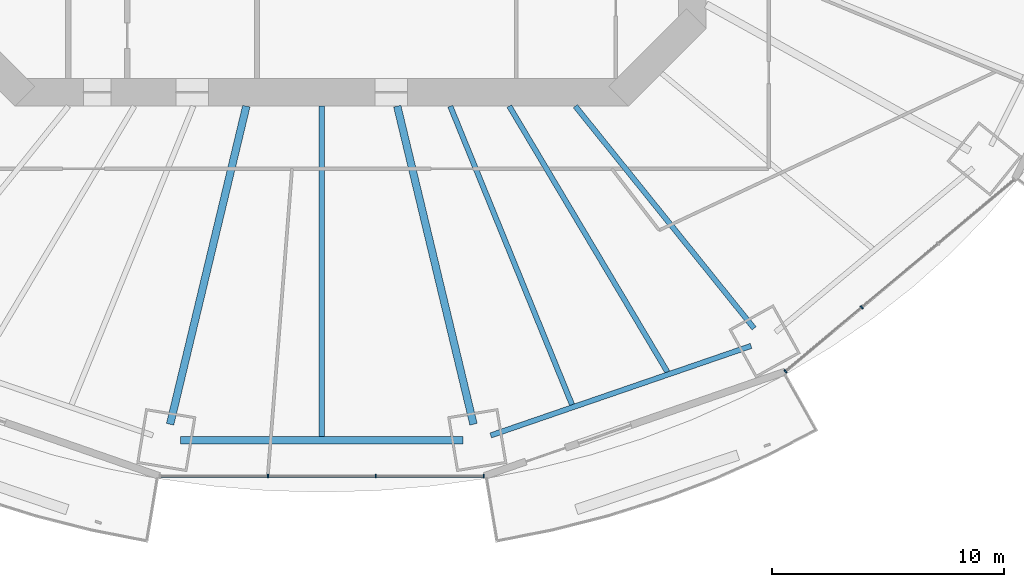
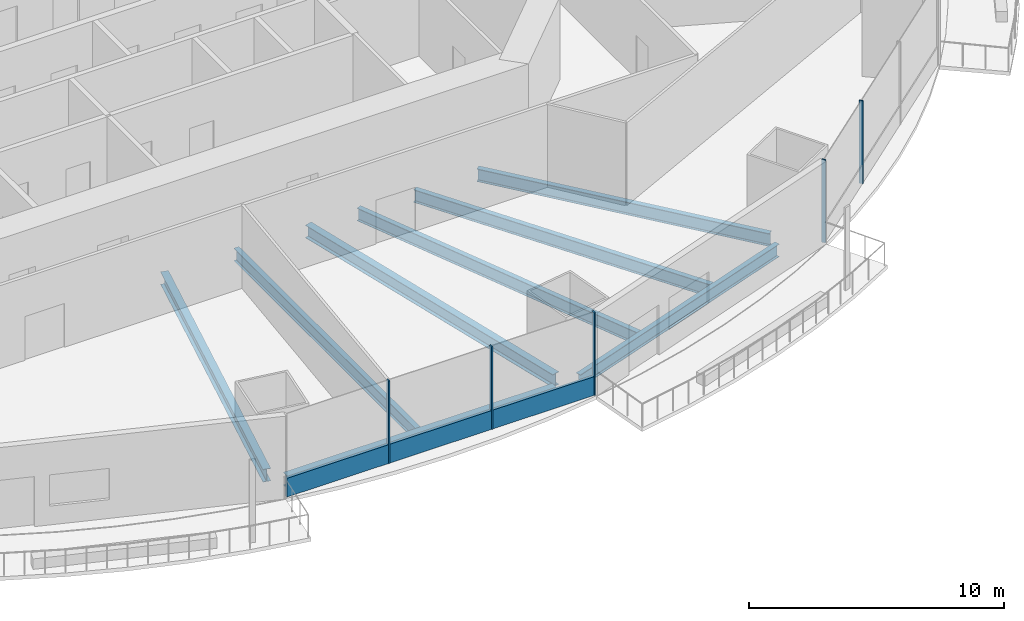
# One storey, part 4 of 23: 8 beams, 6 members, 2 elements without a shape of their own.
"""IFC4 building model written with IfcOpenShell, lengths in metres."""

from ifc_helpers import new_model, si_unit, direction, frame, origin, origin_2d, place, context, subcontext, project, spatial, rectangle, i_section, extrude, material, material_profile, profile_set, type_object, element, aggregate, save


model = new_model("IFC4")

# Units and contexts
model_context = context("Model", 3, precision=1e-05, world=origin(), true_north=direction((0.0, 1.0)))
body_context = subcontext(model_context, "Body", "Model", "MODEL_VIEW")
ifc_project = project(units=[si_unit("LENGTHUNIT", "METRE"), si_unit("AREAUNIT", "SQUARE_METRE"), si_unit("VOLUMEUNIT", "CUBIC_METRE"), si_unit("PLANEANGLEUNIT", "RADIAN"), si_unit("MASSUNIT", "GRAM", prefix="KILO")], contexts=[model_context])

# Site, building, storey
site_placement = place(None, origin())
site = spatial("IfcSite", under=ifc_project, at=site_placement, CompositionType="ELEMENT")
building_placement = place(site_placement, origin())
building = spatial("IfcBuilding", under=site, at=building_placement, Name="Marenthal Gate Tower", CompositionType="ELEMENT")
storey_placement = place(building_placement, frame((0.0, 0.0, 57.89990234375)))
storey = spatial("IfcBuildingStorey", under=building, at=storey_placement, Name="L10", CompositionType="ELEMENT", Elevation=57.89990234375)

# Curtain wall, members
ifc_material_1 = material(Name="Aluminium and glass", Category="aluminium")
curtain_wall_type = type_object("IfcCurtainWallType", Name="Curtain wall typical low", PredefinedType="NOTDEFINED", material=ifc_material_1)
curtain_wall_1_placement = place(storey_placement, origin())
curtain_wall_1 = element("IfcCurtainWall", 1, at=curtain_wall_1_placement, inside=storey, type_object=curtain_wall_type, Name="Curtain wall L10 bay 12", PredefinedType="NOTDEFINED")
ifc_material_2 = material(Name="Aluminium", Category="aluminium")
ifc_material_profile_1 = material_profile(ifc_material_2, rectangle(XDim=0.159912109375, YDim=0.06005859375, at=origin_2d()), Name="60x160 aluminium mullion")
ifc_profile_set_1 = profile_set([ifc_material_profile_1], Name="Aluminium")
member_type_1 = type_object("IfcMemberType", Name="Mullion 60x160 typical low", PredefinedType="MULLION", material=ifc_profile_set_1)
member_1_placement = place(storey_placement, frame((-2.330810546875, -29.569580078125, 0.0), z_axis=(0.0, 0.0, 1.0), x_axis=(0.0, 1.0, 0.0)))
member_1 = element("IfcMember", 2, at=member_1_placement, type_object=member_type_1, Name="Mullion L10 bay 12.2", PredefinedType="MULLION", context=body_context, shape_type="SweptSolid", body=[
    extrude(rectangle(XDim=0.159912109375, YDim=0.06005859375, at=origin_2d()), origin(), (0.0, 0.0, 1.0), 3.97021484375),
])
member_2_placement = place(storey_placement, frame((2.330810546875, -29.569580078125, 0.0), z_axis=(0.0, 0.0, 1.0), x_axis=(0.0, 1.0, 0.0)))
member_2 = element("IfcMember", 3, at=member_2_placement, type_object=member_type_1, Name="Mullion L10 bay 12.3", PredefinedType="MULLION", context=body_context, shape_type="SweptSolid", body=[
    extrude(rectangle(XDim=0.159912109375, YDim=0.06005859375, at=origin_2d()), origin(), (0.0, 0.0, 1.0), 3.97021484375),
])
member_3_placement = place(storey_placement, frame((6.9921875, -29.569580078125, 0.0), z_axis=(0.0, 0.0, 1.0), x_axis=(0.0, 1.0, 0.0)))
member_3 = element("IfcMember", 4, at=member_3_placement, type_object=member_type_1, Name="Mullion L10 bay 12.4", PredefinedType="MULLION", context=body_context, shape_type="SweptSolid", body=[
    extrude(rectangle(XDim=0.159912109375, YDim=0.06005859375, at=origin_2d()), origin(), (0.0, 0.0, 1.0), 3.97021484375),
])

curtain_wall_2_placement = place(storey_placement, origin())
curtain_wall_2 = element("IfcCurtainWall", 5, at=curtain_wall_2_placement, inside=storey, type_object=curtain_wall_type, Name="Curtain wall L10 bay 14", PredefinedType="NOTDEFINED")
member_4_placement = place(storey_placement, frame((20.020751953125, -25.048828125, 0.0), z_axis=(0.0, 0.0, 1.0), x_axis=(-0.642111737517, 0.766611059497, 0.0)))
member_4 = element("IfcMember", 6, at=member_4_placement, type_object=member_type_1, Name="Mullion L10 bay 14.1", PredefinedType="MULLION", context=body_context, shape_type="SweptSolid", body=[
    extrude(rectangle(XDim=0.159912109375, YDim=0.06005859375, at=origin_2d()), origin(), (0.0, 0.0, 1.0), 3.97021484375),
])
member_5_placement = place(storey_placement, frame((23.315673828125, -22.288818359375, 0.0), z_axis=(0.0, 0.0, 1.0), x_axis=(-0.642111737517, 0.766611059497, 0.0)))
member_5 = element("IfcMember", 7, at=member_5_placement, type_object=member_type_1, Name="Mullion L10 bay 14.2", PredefinedType="MULLION", context=body_context, shape_type="SweptSolid", body=[
    extrude(rectangle(XDim=0.159912109375, YDim=0.06005859375, at=origin_2d()), origin(), (0.0, 0.0, 1.0), 3.97021484375),
])
aggregate(curtain_wall_2, [member_4, member_5])

# Member
ifc_material_3 = material(Name="Aluminium", Category="aluminium")
ifc_material_profile_2 = material_profile(ifc_material_3, rectangle(XDim=0.1201171875, YDim=0.89990234375, at=origin_2d()), Name="120x900 aluminium transom")
ifc_profile_set_2 = profile_set([ifc_material_profile_2], Name="Aluminium")
member_type_2 = type_object("IfcMemberType", Name="Transom 120x900 typical low", PredefinedType="USERDEFINED", material=ifc_profile_set_2)
member_6_placement = place(storey_placement, frame((-6.96240234375, -29.569580078125, 0.4501953125), z_axis=(1.0, 0.0, 0.0), x_axis=(0.0, 1.0, 0.0)))
member_6 = element("IfcMember", 8, at=member_6_placement, type_object=member_type_2, Name="Transom L10 bay 12", ObjectType="TRANSOM", PredefinedType="USERDEFINED", context=body_context, shape_type="SweptSolid", body=[
    extrude(rectangle(XDim=0.1201171875, YDim=0.89990234375, at=origin_2d()), origin(), (0.0, 0.0, 1.0), 13.9248046875),
])

aggregate(curtain_wall_1, [member_1, member_2, member_3, member_6])

# Beams
ifc_material_4 = material(Name="Steel S355", Category="steel")
ifc_material_profile_3 = material_profile(ifc_material_4, i_section(OverallWidth=0.22900390625, OverallDepth=0.612060546875, WebThickness=0.011962890625, FlangeThickness=0.01953125, FilletRadius=0.0126953125, at=origin_2d()), Name="W610X125")
ifc_profile_set_3 = profile_set([ifc_material_profile_3], Name="Steel S355")
beam_type_1 = type_object("IfcBeamType", Name="W610X125 beam", PredefinedType="BEAM", material=ifc_profile_set_3)
beam_1_placement = place(storey_placement, frame((18.669921875, -23.195068359375, -0.48583984375), z_axis=(-0.62702730147, 0.778997280618, 0.0), x_axis=(-0.778997280618, -0.62702730147, 0.0)))
element("IfcBeam", 9, at=beam_1_placement, inside=storey, type_object=beam_type_1, Name="BM-L10-14", PredefinedType="BEAM", context=body_context, shape_type="SweptSolid", body=[
    extrude(i_section(OverallWidth=0.22900390625, OverallDepth=0.612060546875, WebThickness=0.011962890625, FlangeThickness=0.01953125, FilletRadius=0.0126953125, at=origin_2d()), origin(), (0.0, 0.0, 1.0), 12.317138671875),
])
beam_2_placement = place(storey_placement, frame((0.0, -27.857666015625, -0.48583984375), z_axis=(0.0, 1.0, 0.0), x_axis=(-1.0, 0.0, 0.0)))
element("IfcBeam", 10, at=beam_2_placement, inside=storey, type_object=beam_type_1, Name="BM-L10-34", PredefinedType="BEAM", context=body_context, shape_type="SweptSolid", body=[
    extrude(i_section(OverallWidth=0.22900390625, OverallDepth=0.612060546875, WebThickness=0.011962890625, FlangeThickness=0.01953125, FilletRadius=0.0126953125, at=origin_2d()), origin(), (0.0, 0.0, 1.0), 14.257568359375),
])
beam_3_placement = place(storey_placement, frame((10.805908203125, -26.491943359375, -0.48583984375), z_axis=(-0.377685635209, 0.925933885845, 0.0), x_axis=(-0.925933885845, -0.377685635209, 0.0)))
element("IfcBeam", 11, at=beam_3_placement, inside=storey, type_object=beam_type_1, Name="BM-L10-35", PredefinedType="BEAM", context=body_context, shape_type="SweptSolid", body=[
    extrude(i_section(OverallWidth=0.22900390625, OverallDepth=0.612060546875, WebThickness=0.011962890625, FlangeThickness=0.01953125, FilletRadius=0.0126953125, at=origin_2d()), origin(), (0.0, 0.0, 1.0), 13.923095703125),
])
beam_4_placement = place(storey_placement, frame((14.9248046875, -25.07568359375, -0.48583984375), z_axis=(-0.51146264721, 0.859305510578, 0.0), x_axis=(-0.859305510578, -0.51146264721, 0.0)))
element("IfcBeam", 12, at=beam_4_placement, inside=storey, type_object=beam_type_1, Name="BM-L10-36", PredefinedType="BEAM", context=body_context, shape_type="SweptSolid", body=[
    extrude(i_section(OverallWidth=0.22900390625, OverallDepth=0.612060546875, WebThickness=0.011962890625, FlangeThickness=0.01953125, FilletRadius=0.0126953125, at=origin_2d()), origin(), (0.0, 0.0, 1.0), 13.3544921875),
])
beam_5_placement = place(storey_placement, frame((7.296142578125, -27.81982421875, -0.48583984375), z_axis=(0.945656601656, 0.325167021304, 0.0), x_axis=(-0.325167021304, 0.945656601656, 0.0)))
element("IfcBeam", 13, at=beam_5_placement, inside=storey, type_object=beam_type_1, Name="BM-L10-53", PredefinedType="BEAM", context=body_context, shape_type="SweptSolid", body=[
    extrude(i_section(OverallWidth=0.22900390625, OverallDepth=0.612060546875, WebThickness=0.011962890625, FlangeThickness=0.01953125, FilletRadius=0.0126953125, at=origin_2d()), origin(), (0.0, 0.0, 1.0), 11.88623046875),
])
ifc_material_5 = material(Name="Steel S355", Category="steel")
ifc_material_profile_4 = material_profile(ifc_material_5, i_section(OverallWidth=0.324951171875, OverallDepth=0.612060546875, WebThickness=0.0126953125, FlangeThickness=0.01904296875, FilletRadius=0.0126953125, at=origin_2d()), Name="W610X155")
ifc_profile_set_4 = profile_set([ifc_material_profile_4], Name="Steel S355")
beam_type_2 = type_object("IfcBeamType", Name="W610X155 beam", PredefinedType="BEAM", material=ifc_profile_set_4)
for number, where, z_axis, x_axis, name in (
    (14, (-6.55029296875, -27.336181640625, -0.48583984375), (0.233027773501, 0.972470080145, 0.0), (-0.972470080145, 0.233027773501, 0.0), "BM-L10-12"),
    (15, (6.55029296875, -27.336181640625, -0.48583984375), (-0.233027773501, 0.972470080145, 0.0), (-0.972470080145, -0.233027773501, 0.0), "BM-L10-13"),
):
    element("IfcBeam", number, at=place(storey_placement, frame(where, z_axis=z_axis, x_axis=x_axis)), inside=storey, type_object=beam_type_2, Name=name, PredefinedType="BEAM", context=body_context, shape_type="SweptSolid", body=[
        extrude(i_section(OverallWidth=0.324951171875, OverallDepth=0.612060546875, WebThickness=0.0126953125, FlangeThickness=0.01904296875, FilletRadius=0.0126953125, at=origin_2d()), origin(), (0.0, 0.0, 1.0), 14.125),
    ])
beam_6_placement = place(storey_placement, frame((-6.09912109375, -28.02001953125, -0.48583984375), z_axis=(1.0, 0.0, 0.0), x_axis=(0.0, 1.0, 0.0)))
element("IfcBeam", 16, at=beam_6_placement, inside=storey, type_object=beam_type_2, Name="BM-L10-52", PredefinedType="BEAM", context=body_context, shape_type="SweptSolid", body=[
    extrude(i_section(OverallWidth=0.324951171875, OverallDepth=0.612060546875, WebThickness=0.0126953125, FlangeThickness=0.01904296875, FilletRadius=0.0126953125, at=origin_2d()), origin(), (0.0, 0.0, 1.0), 12.1982421875),
])

save(model, "model.ifc")
